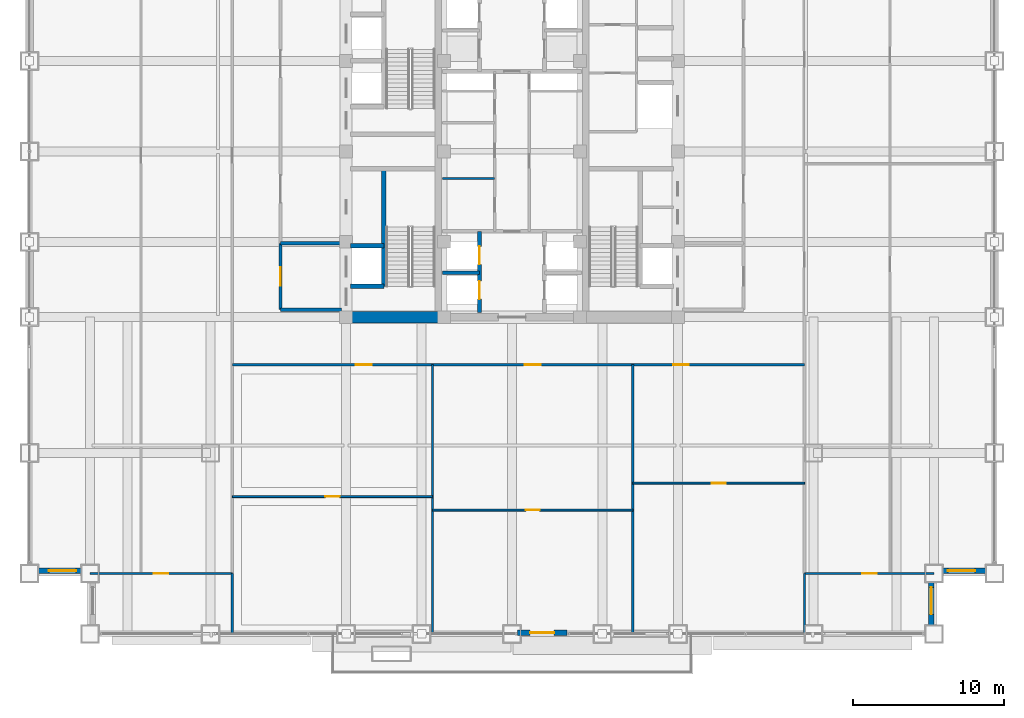
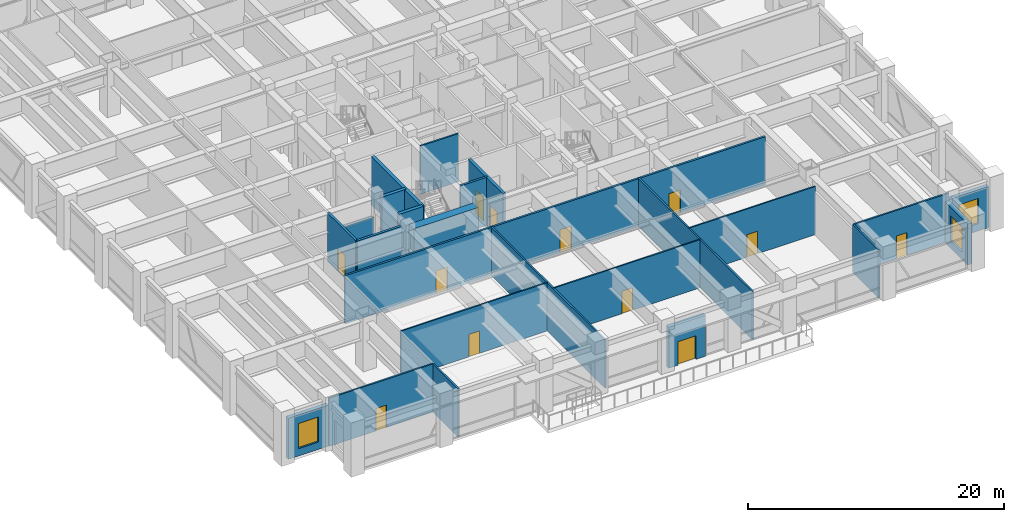
# One storey, part 24 of 34: 24 walls, 12 doors, 3 windows, 15 openings.
"""IFC4 building model written with IfcOpenShell, lengths in metres."""

from ifc_helpers import new_model, si_unit, direction, frame, frame_2d, origin, place, context, subcontext, project, spatial, rectangle, extrude, source, transform, mapped, material, layer, layer_set, type_object, element, fill, save


model = new_model("IFC4")

# Units and contexts
model_context = context("Model", 3, precision=1e-05, world=origin(), true_north=direction((0.0, 1.0)))
body_context = subcontext(model_context, "Body", "Model", "MODEL_VIEW")
ifc_project = project(units=[si_unit("LENGTHUNIT", "METRE"), si_unit("AREAUNIT", "SQUARE_METRE"), si_unit("VOLUMEUNIT", "CUBIC_METRE"), si_unit("PLANEANGLEUNIT", "RADIAN"), si_unit("MASSUNIT", "GRAM", prefix="KILO")], contexts=[model_context])

# Site, building, storey
site_placement = place(None, origin())
site = spatial("IfcSite", under=ifc_project, at=site_placement, CompositionType="ELEMENT")
building_placement = place(site_placement, origin())
building = spatial("IfcBuilding", under=site, at=building_placement, Name="Khorayat Bourse Tower", CompositionType="ELEMENT")
storey_placement = place(building_placement, frame((0.0, 0.0, 144.699951171875)))
storey = spatial("IfcBuildingStorey", under=building, at=storey_placement, Name="L33", CompositionType="ELEMENT", Elevation=144.699951171875)

# Wall
ifc_material_1 = material(Name="Concrete C72/90", Category="concrete")
ifc_layer_1 = layer(ifc_material_1, 0.75)
ifc_layer_set_1 = layer_set([ifc_layer_1], Name="Concrete C72/90")
wall_type_1 = type_object("IfcWallType", Name="WAL-CORE-750", PredefinedType="SHEAR", material=ifc_layer_set_1)
shared_shape_1 = source(origin(), body_context, "Body", "SweptSolid", [
    extrude(rectangle(XDim=5.849853515625, YDim=0.75, at=frame_2d((2.9248046875, 0.0))), origin(), (0.0, 0.0, 1.0), 4.60009765625),
])
wall_1_placement = place(storey_placement, frame((-10.699951171875, -11.0, 0.0), z_axis=(0.0, 0.0, 1.0), x_axis=(1.0, 0.0, 0.0)))
element("IfcWall", 1, at=wall_1_placement, inside=storey, type_object=wall_type_1, Name="L33 Core Shear Wall PIER-WS", PredefinedType="SHEAR", context=body_context, shape_type="MappedRepresentation", body=[
    mapped(shared_shape_1, transform((0.0, 0.0, 0.0), scale=1.0)),
])

# Wall, opening, window
ifc_material_2 = material(Name="Precast concrete C45/55", Category="concrete")
ifc_layer_2 = layer(ifc_material_2, 0.3798828125)
ifc_layer_set_2 = layer_set([ifc_layer_2], Name="Precast concrete C45/55")
wall_type_2 = type_object("IfcWallType", Name="WAL-EXT-STONE-380", PredefinedType="STANDARD", material=ifc_layer_set_2)
shared_shape_2 = source(origin(), body_context, "Body", "SweptSolid", [
    extrude(rectangle(XDim=3.6201171875, YDim=0.3798828125, at=frame_2d((1.81005859375, 0.0))), origin(), (0.0, 0.0, 1.0), 3.905029296875),
])
wall_2_placement = place(storey_placement, frame((-28.0, -27.81005859375, 0.0), z_axis=(0.0, 0.0, 1.0), x_axis=(-1.0, 0.0, 0.0)))
wall_2 = element("IfcWall", 2, at=wall_2_placement, inside=storey, type_object=wall_type_2, Name="L33 Re-Entrant Notch Limestone Wall SW-H", PredefinedType="STANDARD", context=body_context, shape_type="MappedRepresentation", body=[
    mapped(shared_shape_2, transform((0.0, 0.0, 0.0), scale=1.0)),
])
shared_shape_3 = source(origin(), body_context, "Body", "SweptSolid", [
    extrude(rectangle(XDim=1.800048828125, YDim=2.39990234375, at=frame_2d((0.89990234375, 1.199951171875))), frame((0.0, 0.199951171875, 0.0), z_axis=(0.0, -1.0, 0.0), x_axis=(1.0, 0.0, 0.0)), (0.0, 0.0, 1.0), 0.39990234375),
])
opening_1_placement = place(wall_2_placement, frame((0.909912109375, 0.0, 0.699951171875)))
opening_1 = element("IfcOpeningElement", 3, at=opening_1_placement, cuts=wall_2, Name="Opening WN-04", PredefinedType="OPENING", context=body_context, shape_type="MappedRepresentation", body=[
    mapped(shared_shape_3, transform((0.0, 0.0, 0.0), scale=1.0)),
])
ifc_material_3 = material(Name="Low-E acoustic laminated double glazing", Category="glass")
window_type = type_object("IfcWindowType", Name="WIN-NOTCH-1800x2400", PartitioningType="SINGLE_PANEL", PredefinedType="WINDOW", material=ifc_material_3)
shared_shape_4 = source(origin(), body_context, "Body", "SweptSolid", [
    extrude(rectangle(XDim=1.800048828125, YDim=2.39990234375, at=frame_2d((0.89990234375, 1.199951171875))), frame((0.0, 0.030029296875, 0.0), z_axis=(0.0, -1.0, 0.0), x_axis=(1.0, 0.0, 0.0)), (0.0, 0.0, 1.0), 0.06005859375),
])
window_1_placement = place(opening_1_placement, origin())
window_1 = element("IfcWindow", 4, at=window_1_placement, inside=storey, type_object=window_type, Name="L33 Facade Window 1", OverallHeight=2.39990234375, OverallWidth=1.800048828125, PartitioningType="SINGLE_PANEL", PredefinedType="WINDOW", context=body_context, shape_type="MappedRepresentation", body=[
    mapped(shared_shape_4, transform((0.0, 0.0, 0.0), scale=1.0)),
])
fill(opening_1, window_1)

wall_3_placement = place(storey_placement, frame((27.81005859375, -31.6201171875, 0.0), z_axis=(0.0, 0.0, 1.0), x_axis=(0.0, 1.0, 0.0)))
wall_3 = element("IfcWall", 5, at=wall_3_placement, inside=storey, type_object=wall_type_2, Name="L33 Re-Entrant Notch Limestone Wall SE-V", PredefinedType="STANDARD", context=body_context, shape_type="MappedRepresentation", body=[
    mapped(shared_shape_2, transform((0.0, 0.0, 0.0), scale=1.0)),
])
opening_2_placement = place(wall_3_placement, frame((0.909912109375, 0.0, 0.699951171875)))
opening_2 = element("IfcOpeningElement", 6, at=opening_2_placement, cuts=wall_3, Name="Opening WN-04", PredefinedType="OPENING", context=body_context, shape_type="MappedRepresentation", body=[
    mapped(shared_shape_3, transform((0.0, 0.0, 0.0), scale=1.0)),
])
window_2_placement = place(opening_2_placement, origin())
window_2 = element("IfcWindow", 7, at=window_2_placement, inside=storey, type_object=window_type, Name="L33 Facade Window 1", OverallHeight=2.39990234375, OverallWidth=1.800048828125, PartitioningType="SINGLE_PANEL", PredefinedType="WINDOW", context=body_context, shape_type="MappedRepresentation", body=[
    mapped(shared_shape_4, transform((0.0, 0.0, 0.0), scale=1.0)),
])
fill(opening_2, window_2)

wall_4_placement = place(storey_placement, frame((28.0, -27.81005859375, 0.0), z_axis=(0.0, 0.0, 1.0), x_axis=(1.0, 0.0, 0.0)))
wall_4 = element("IfcWall", 8, at=wall_4_placement, inside=storey, type_object=wall_type_2, Name="L33 Re-Entrant Notch Limestone Wall SE-H", PredefinedType="STANDARD", context=body_context, shape_type="MappedRepresentation", body=[
    mapped(shared_shape_2, transform((0.0, 0.0, 0.0), scale=1.0)),
])
opening_3_placement = place(wall_4_placement, frame((0.909912109375, 0.0, 0.699951171875)))
opening_3 = element("IfcOpeningElement", 9, at=opening_3_placement, cuts=wall_4, Name="Opening WN-04", PredefinedType="OPENING", context=body_context, shape_type="MappedRepresentation", body=[
    mapped(shared_shape_3, transform((0.0, 0.0, 0.0), scale=1.0)),
])
window_3_placement = place(opening_3_placement, origin())
window_3 = element("IfcWindow", 10, at=window_3_placement, inside=storey, type_object=window_type, Name="L33 Facade Window 1", OverallHeight=2.39990234375, OverallWidth=1.800048828125, PartitioningType="SINGLE_PANEL", PredefinedType="WINDOW", context=body_context, shape_type="MappedRepresentation", body=[
    mapped(shared_shape_4, transform((0.0, 0.0, 0.0), scale=1.0)),
])
fill(opening_3, window_3)

# Wall, opening, door
shared_shape_5 = source(origin(), body_context, "Body", "SweptSolid", [
    extrude(rectangle(XDim=3.2998046875, YDim=0.3798828125, at=frame_2d((1.64990234375, 0.0))), origin(), (0.0, 0.0, 1.0), 3.905029296875),
])
wall_5_placement = place(storey_placement, frame((0.35009765625, -31.93310546875, 0.0), z_axis=(0.0, 0.0, 1.0), x_axis=(1.0, 0.0, 0.0)))
wall_5 = element("IfcWall", 11, at=wall_5_placement, inside=storey, type_object=wall_type_2, Name="L33 Exterior Limestone Wall WAL-L33-TDPORT-S1", PredefinedType="STANDARD", context=body_context, shape_type="MappedRepresentation", body=[
    mapped(shared_shape_5, transform((0.0, 0.0, 0.0), scale=1.0)),
])
shared_shape_6 = source(origin(), body_context, "Body", "SweptSolid", [
    extrude(rectangle(XDim=1.60009765625, YDim=2.25, at=frame_2d((0.800048828125, 1.125))), frame((0.0, 0.199951171875, 0.0), z_axis=(0.0, -1.0, 0.0), x_axis=(1.0, 0.0, 0.0)), (0.0, 0.0, 1.0), 0.39990234375),
])
opening_4_placement = place(wall_5_placement, frame((0.85009765625, 0.0, 0.0)))
opening_4 = element("IfcOpeningElement", 12, at=opening_4_placement, cuts=wall_5, Name="Opening DE-04", PredefinedType="OPENING", context=body_context, shape_type="MappedRepresentation", body=[
    mapped(shared_shape_6, transform((0.0, 0.0, 0.0), scale=1.0)),
])
ifc_material_4 = material(Name="Thermally broken aluminium terrace double door", Category="aluminium")
door_type_1 = type_object("IfcDoorType", Name="DR-EXT-TERR-1600", OperationType="NOTDEFINED", PredefinedType="DOOR", material=ifc_material_4)
shared_shape_7 = source(origin(), body_context, "Body", "SweptSolid", [
    extrude(rectangle(XDim=1.60009765625, YDim=2.25, at=frame_2d((0.800048828125, 1.125))), frame((0.0, 0.02490234375, 0.0), z_axis=(0.0, -1.0, 0.0), x_axis=(1.0, 0.0, 0.0)), (0.0, 0.0, 1.0), 0.050048828125),
])
door_1_placement = place(opening_4_placement, origin())
door_1 = element("IfcDoor", 13, at=door_1_placement, inside=storey, type_object=door_type_1, Name="L33 South Sky Garden Door", OperationType="DOUBLE_DOOR_SINGLE_SWING", OverallHeight=2.25, OverallWidth=1.60009765625, PredefinedType="DOOR", context=body_context, shape_type="MappedRepresentation", body=[
    mapped(shared_shape_7, transform((0.0, 0.0, 0.0), scale=1.0)),
])
fill(opening_4, door_1)

# Walls
ifc_material_5 = material(Name="Concrete C50/60", Category="concrete")
ifc_layer_3 = layer(ifc_material_5, 0.300048828125)
ifc_layer_set_3 = layer_set([ifc_layer_3], Name="Concrete C50/60")
wall_type_3 = type_object("IfcWallType", Name="WAL-SHAFT-300", PredefinedType="SHEAR", material=ifc_layer_set_3)
shared_shape_8 = source(origin(), body_context, "Body", "SweptSolid", [
    extrude(rectangle(XDim=7.800048828125, YDim=0.300048828125, at=frame_2d((3.89990234375, 0.0))), origin(), (0.0, 0.0, 1.0), 4.60009765625),
])
wall_6_placement = place(storey_placement, frame((-8.5, -8.949951171875, 0.0), z_axis=(0.0, 0.0, 1.0), x_axis=(0.0, 1.0, 0.0)))
element("IfcWall", 14, at=wall_6_placement, inside=storey, type_object=wall_type_3, Name="L33 Partition WAL-L33-WPIER-SP", PredefinedType="SHEAR", context=body_context, shape_type="MappedRepresentation", body=[
    mapped(shared_shape_8, transform((0.0, 0.0, 0.0), scale=1.0)),
])
shared_shape_9 = source(origin(), body_context, "Body", "SweptSolid", [
    extrude(rectangle(XDim=2.199951171875, YDim=0.300048828125, at=frame_2d((1.10009765625, 0.0))), origin(), (0.0, 0.0, 1.0), 4.60009765625),
])
for number, where, z_axis, x_axis, name in (
    (15, (-10.699951171875, -8.949951171875, 0.0), (0.0, 0.0, 1.0), (1.0, 0.0, 0.0), "L33 Partition WAL-L33-WPIER-FF1S"),
    (16, (-10.699951171875, -6.25, 0.0), (0.0, 0.0, 1.0), (1.0, 0.0, 0.0), "L33 Partition WAL-L33-WPIER-FF1N"),
):
    element("IfcWall", number, at=place(storey_placement, frame(where, z_axis=z_axis, x_axis=x_axis)), inside=storey, type_object=wall_type_3, Name=name, PredefinedType="SHEAR", context=body_context, shape_type="MappedRepresentation", body=[
        mapped(shared_shape_9, transform((0.0, 0.0, 0.0), scale=1.0)),
    ])
ifc_material_6 = material(Name="Aerated concrete blockwork", Category="masonry")
ifc_layer_4 = layer(ifc_material_6, 0.219970703125)
ifc_layer_set_4 = layer_set([ifc_layer_4], Name="Aerated concrete blockwork")
wall_type_4 = type_object("IfcWallType", Name="WAL-PART-FF-220", PredefinedType="PARTITIONING", material=ifc_layer_set_4)
shared_shape_10 = source(origin(), body_context, "Body", "SweptSolid", [
    extrude(rectangle(XDim=4.050048828125, YDim=0.219970703125, at=frame_2d((2.02490234375, 0.0))), origin(), (0.0, 0.0, 1.0), 4.60009765625),
])
wall_7_placement = place(storey_placement, frame((-15.35009765625, -10.5, 0.0), z_axis=(0.0, 0.0, 1.0), x_axis=(1.0, 0.0, 0.0)))
element("IfcWall", 17, at=wall_7_placement, inside=storey, type_object=wall_type_4, Name="L33 Partition WAL-L33-FFLW-S", PredefinedType="PARTITIONING", context=body_context, shape_type="MappedRepresentation", body=[
    mapped(shared_shape_10, transform((0.0, 0.0, 0.0), scale=1.0)),
])
shared_shape_11 = source(origin(), body_context, "Body", "SweptSolid", [
    extrude(rectangle(XDim=4.050048828125, YDim=0.219970703125, at=frame_2d((2.02490234375, 0.0))), origin(), (0.0, 0.0, 1.0), 2.800048828125),
])
wall_8_placement = place(storey_placement, frame((-15.35009765625, -6.10009765625, 0.0), z_axis=(0.0, 0.0, 1.0), x_axis=(1.0, 0.0, 0.0)))
element("IfcWall", 18, at=wall_8_placement, inside=storey, type_object=wall_type_4, Name="L33 Partition WAL-L33-FFLW-N", PredefinedType="PARTITIONING", context=body_context, shape_type="MappedRepresentation", body=[
    mapped(shared_shape_11, transform((0.0, 0.0, 0.0), scale=1.0)),
])

# Wall, opening, door
shared_shape_12 = source(origin(), body_context, "Body", "SweptSolid", [
    extrude(rectangle(XDim=4.39990234375, YDim=0.219970703125, at=frame_2d((2.199951171875, 0.0))), origin(), (0.0, 0.0, 1.0), 4.60009765625),
])
wall_9_placement = place(storey_placement, frame((-15.35009765625, -10.5, 0.0), z_axis=(0.0, 0.0, 1.0), x_axis=(0.0, 1.0, 0.0)))
wall_9 = element("IfcWall", 19, at=wall_9_placement, inside=storey, type_object=wall_type_4, Name="L33 Partition WAL-L33-FFLW-W", PredefinedType="PARTITIONING", context=body_context, shape_type="MappedRepresentation", body=[
    mapped(shared_shape_12, transform((0.0, 0.0, 0.0), scale=1.0)),
])
shared_shape_13 = source(origin(), body_context, "Body", "SweptSolid", [
    extrude(rectangle(XDim=1.199951171875, YDim=2.199951171875, at=frame_2d((0.60009765625, 1.10009765625))), frame((0.0, 0.119873046875, 0.0), z_axis=(0.0, -1.0, 0.0), x_axis=(1.0, 0.0, 0.0)), (0.0, 0.0, 1.0), 0.239990234375),
])
opening_5_placement = place(wall_9_placement, frame((1.60009765625, 0.0, 0.0)))
opening_5 = element("IfcOpeningElement", 20, at=opening_5_placement, cuts=wall_9, Name="Opening DI-02", PredefinedType="OPENING", context=body_context, shape_type="MappedRepresentation", body=[
    mapped(shared_shape_13, transform((0.0, 0.0, 0.0), scale=1.0)),
])
ifc_material_7 = material(Name="Fire-rated steel double-seal leaf", Category="steel")
door_type_2 = type_object("IfcDoorType", Name="DR-INT-FFLOBBY-1200", OperationType="NOTDEFINED", PredefinedType="DOOR", material=ifc_material_7)
shared_shape_14 = source(origin(), body_context, "Body", "SweptSolid", [
    extrude(rectangle(XDim=1.199951171875, YDim=2.199951171875, at=frame_2d((0.60009765625, 1.10009765625))), frame((0.0, 0.02490234375, 0.0), z_axis=(0.0, -1.0, 0.0), x_axis=(1.0, 0.0, 0.0)), (0.0, 0.0, 1.0), 0.050048828125),
])
door_2_placement = place(opening_5_placement, origin())
door_2 = element("IfcDoor", 21, at=door_2_placement, inside=storey, type_object=door_type_2, Name="L33 West Firefighting Lobby Door", OperationType="SINGLE_SWING_LEFT", OverallHeight=2.199951171875, OverallWidth=1.199951171875, PredefinedType="DOOR", context=body_context, shape_type="MappedRepresentation", body=[
    mapped(shared_shape_14, transform((0.0, 0.0, 0.0), scale=1.0)),
])
fill(opening_5, door_2)

# Wall, openings, doors
shared_shape_15 = source(origin(), body_context, "Body", "SweptSolid", [
    extrude(rectangle(XDim=5.39990234375, YDim=0.25, at=frame_2d((2.699951171875, 0.0))), origin(), (0.0, 0.0, 1.0), 4.60009765625),
])
wall_10_placement = place(storey_placement, frame((-2.14990234375, -10.699951171875, 0.0), z_axis=(0.0, 0.0, 1.0), x_axis=(0.0, 1.0, 0.0)))
wall_10 = element("IfcWall", 22, at=wall_10_placement, inside=storey, type_object=wall_type_3, Name="L33 Partition WAL-L33-B1-W", PredefinedType="SHEAR", context=body_context, shape_type="MappedRepresentation", body=[
    mapped(shared_shape_15, transform((0.0, 0.0, 0.0), scale=1.0)),
])
shared_shape_16 = source(origin(), body_context, "Body", "SweptSolid", [
    extrude(rectangle(XDim=1.199951171875, YDim=2.300048828125, at=frame_2d((0.60009765625, 1.14990234375))), frame((0.0, 0.135009765625, 0.0), z_axis=(0.0, -1.0, 0.0), x_axis=(1.0, 0.0, 0.0)), (0.0, 0.0, 1.0), 0.27001953125),
])
opening_6_placement = place(wall_10_placement, frame((0.89990234375, 0.0, 0.0)))
opening_6 = element("IfcOpeningElement", 23, at=opening_6_placement, cuts=wall_10, Name="Opening LD-01", PredefinedType="OPENING", context=body_context, shape_type="MappedRepresentation", body=[
    mapped(shared_shape_16, transform((0.0, 0.0, 0.0), scale=1.0)),
])
opening_7_placement = place(wall_10_placement, frame((3.199951171875, 0.0, 0.0)))
opening_7 = element("IfcOpeningElement", 24, at=opening_7_placement, cuts=wall_10, Name="Opening LD-01", PredefinedType="OPENING", context=body_context, shape_type="MappedRepresentation", body=[
    mapped(shared_shape_16, transform((0.0, 0.0, 0.0), scale=1.0)),
])
ifc_material_8 = material(Name="Brushed bronze stainless-steel sliding door", Category="steel")
door_type_3 = type_object("IfcDoorType", Name="DR-LIFT-PASS-1200", OperationType="NOTDEFINED", PredefinedType="DOOR", material=ifc_material_8)
shared_shape_17 = source(origin(), body_context, "Body", "SweptSolid", [
    extrude(rectangle(XDim=1.199951171875, YDim=2.300048828125, at=frame_2d((0.60009765625, 1.14990234375))), frame((0.0, 0.02490234375, 0.0), z_axis=(0.0, -1.0, 0.0), x_axis=(1.0, 0.0, 0.0)), (0.0, 0.0, 1.0), 0.050048828125),
])
door_3_placement = place(opening_6_placement, origin())
door_3 = element("IfcDoor", 25, at=door_3_placement, inside=storey, type_object=door_type_3, Name="L33 Lift PL-L1 Sliding Landing Door", OperationType="SLIDING_TO_LEFT", OverallHeight=2.300048828125, OverallWidth=1.199951171875, PredefinedType="DOOR", context=body_context, shape_type="MappedRepresentation", body=[
    mapped(shared_shape_17, transform((0.0, 0.0, 0.0), scale=1.0)),
])
fill(opening_6, door_3)
door_4_placement = place(opening_7_placement, origin())
door_4 = element("IfcDoor", 26, at=door_4_placement, inside=storey, type_object=door_type_3, Name="L33 Lift PL-L3 Sliding Landing Door", OperationType="SLIDING_TO_LEFT", OverallHeight=2.300048828125, OverallWidth=1.199951171875, PredefinedType="DOOR", context=body_context, shape_type="MappedRepresentation", body=[
    mapped(shared_shape_17, transform((0.0, 0.0, 0.0), scale=1.0)),
])
fill(opening_7, door_4)

# Walls
shared_shape_18 = source(origin(), body_context, "Body", "SweptSolid", [
    extrude(rectangle(XDim=2.4501953125, YDim=0.199951171875, at=frame_2d((1.22509765625, 0.0))), origin(), (0.0, 0.0, 1.0), 4.60009765625),
])
wall_11_placement = place(storey_placement, frame((-4.60009765625, -8.050048828125, 0.0), z_axis=(0.0, 0.0, 1.0), x_axis=(1.0, 0.0, 0.0)))
element("IfcWall", 27, at=wall_11_placement, inside=storey, type_object=wall_type_3, Name="L33 Partition WAL-L33-B1-MW", PredefinedType="SHEAR", context=body_context, shape_type="MappedRepresentation", body=[
    mapped(shared_shape_18, transform((0.0, 0.0, 0.0), scale=1.0)),
])
ifc_material_9 = material(Name="Moisture-resistant masonry partition", Category="masonry")
ifc_layer_5 = layer(ifc_material_9, 0.139892578125)
ifc_layer_set_5 = layer_set([ifc_layer_5], Name="Moisture-resistant masonry partition")
wall_type_5 = type_object("IfcWallType", Name="WAL-PART-WET-140", PredefinedType="PARTITIONING", material=ifc_layer_set_5)
shared_shape_19 = source(origin(), body_context, "Body", "SweptSolid", [
    extrude(rectangle(XDim=3.4501953125, YDim=0.139892578125, at=frame_2d((1.72509765625, 0.0))), origin(), (0.0, 0.0, 1.0), 4.60009765625),
])
wall_12_placement = place(storey_placement, frame((-4.60009765625, -1.800048828125, 0.0), z_axis=(0.0, 0.0, 1.0), x_axis=(1.0, 0.0, 0.0)))
element("IfcWall", 28, at=wall_12_placement, inside=storey, type_object=wall_type_5, Name="L33 Partition WAL-L33-CMW-D1", PredefinedType="PARTITIONING", context=body_context, shape_type="MappedRepresentation", body=[
    mapped(shared_shape_19, transform((0.0, 0.0, 0.0), scale=1.0)),
])

# Wall, opening, door
ifc_material_10 = material(Name="Gypsum plasterboard partition")
ifc_layer_6 = layer(ifc_material_10, 0.125)
ifc_layer_set_6 = layer_set([ifc_layer_6], Name="Gypsum plasterboard partition")
wall_type_6 = type_object("IfcWallType", Name="WAL-PART-ROOM-125", PredefinedType="PARTITIONING", material=ifc_layer_set_6)
shared_shape_20 = source(origin(), body_context, "Body", "SweptSolid", [
    extrude(rectangle(XDim=13.282470703125, YDim=0.125, at=frame_2d((6.64111328125, 0.0))), origin(), (0.0, 0.0, 1.0), 4.60009765625),
])
wall_13_placement = place(storey_placement, frame((-18.550048828125, -22.896484375, 0.0), z_axis=(0.0, 0.0, 1.0), x_axis=(1.0, 0.0, 0.0)))
wall_13 = element("IfcWall", 29, at=wall_13_placement, inside=storey, type_object=wall_type_6, Name="L33 Partition WAL-L33-SDP-1", PredefinedType="PARTITIONING", context=body_context, shape_type="MappedRepresentation", body=[
    mapped(shared_shape_20, transform((0.0, 0.0, 0.0), scale=1.0)),
])
shared_shape_21 = source(origin(), body_context, "Body", "SweptSolid", [
    extrude(rectangle(XDim=0.949951171875, YDim=2.14990234375, at=frame_2d((0.47509765625, 1.074951171875))), frame((0.0, 0.072509765625, 0.0), z_axis=(0.0, -1.0, 0.0), x_axis=(1.0, 0.0, 0.0)), (0.0, 0.0, 1.0), 0.14501953125),
])
opening_8_placement = place(wall_13_placement, frame((6.166259765625, 0.0, 0.0)))
opening_8 = element("IfcOpeningElement", 30, at=opening_8_placement, cuts=wall_13, Name="Opening DI-05", PredefinedType="OPENING", context=body_context, shape_type="MappedRepresentation", body=[
    mapped(shared_shape_21, transform((0.0, 0.0, 0.0), scale=1.0)),
])
ifc_material_11 = material(Name="Acoustic oak veneer office door")
door_type_4 = type_object("IfcDoorType", Name="DR-INT-OFFICE-950", OperationType="NOTDEFINED", PredefinedType="DOOR", material=ifc_material_11)
shared_shape_22 = source(origin(), body_context, "Body", "SweptSolid", [
    extrude(rectangle(XDim=0.949951171875, YDim=2.14990234375, at=frame_2d((0.47509765625, 1.074951171875))), frame((0.0, 0.02490234375, 0.0), z_axis=(0.0, -1.0, 0.0), x_axis=(1.0, 0.0, 0.0)), (0.0, 0.0, 1.0), 0.050048828125),
])
door_5_placement = place(opening_8_placement, origin())
door_5 = element("IfcDoor", 31, at=door_5_placement, inside=storey, type_object=door_type_4, Name="L33 Issuer Listing Showroom S1B Door", OperationType="SINGLE_SWING_RIGHT", OverallHeight=2.14990234375, OverallWidth=0.949951171875, PredefinedType="DOOR", context=body_context, shape_type="MappedRepresentation", body=[
    mapped(shared_shape_22, transform((0.0, 0.0, 0.0), scale=1.0)),
])
fill(opening_8, door_5)

wall_14_placement = place(storey_placement, frame((-5.267578125, -23.7890625, 0.0), z_axis=(0.0, 0.0, 1.0), x_axis=(1.0, 0.0, 0.0)))
wall_14 = element("IfcWall", 32, at=wall_14_placement, inside=storey, type_object=wall_type_6, Name="L33 Partition WAL-L33-SDP-2", PredefinedType="PARTITIONING", context=body_context, shape_type="MappedRepresentation", body=[
    mapped(shared_shape_20, transform((0.0, 0.0, 0.0), scale=1.0)),
])
opening_9_placement = place(wall_14_placement, frame((6.166259765625, 0.0, 0.0)))
opening_9 = element("IfcOpeningElement", 33, at=opening_9_placement, cuts=wall_14, Name="Opening DI-05", PredefinedType="OPENING", context=body_context, shape_type="MappedRepresentation", body=[
    mapped(shared_shape_21, transform((0.0, 0.0, 0.0), scale=1.0)),
])
door_6_placement = place(opening_9_placement, origin())
door_6 = element("IfcDoor", 34, at=door_6_placement, inside=storey, type_object=door_type_4, Name="L33 Members Exchange Lounge S2B Door", OperationType="SINGLE_SWING_LEFT", OverallHeight=2.14990234375, OverallWidth=0.949951171875, PredefinedType="DOOR", context=body_context, shape_type="MappedRepresentation", body=[
    mapped(shared_shape_22, transform((0.0, 0.0, 0.0), scale=1.0)),
])
fill(opening_9, door_6)

# Walls
ifc_material_12 = material(Name="Gypsum plasterboard twin-frame partition")
ifc_layer_7 = layer(ifc_material_12, 0.14990234375)
ifc_layer_set_7 = layer_set([ifc_layer_7], Name="Gypsum plasterboard twin-frame partition")
wall_type_7 = type_object("IfcWallType", Name="WAL-PART-SUITE-150", PredefinedType="PARTITIONING", material=ifc_layer_set_7)
shared_shape_23 = source(origin(), body_context, "Body", "SweptSolid", [
    extrude(rectangle(XDim=17.85009765625, YDim=0.14990234375, at=frame_2d((8.925048828125, 0.0))), origin(), (0.0, 0.0, 1.0), 4.60009765625),
])
for number, where, z_axis, x_axis, name in (
    (35, (-5.267578125, -32.0, 0.0), (0.0, 0.0, 1.0), (0.0, 1.0, 0.0), "L33 Partition WAL-L33-SDV-1"),
    (36, (8.014892578125, -32.0, 0.0), (0.0, 0.0, 1.0), (0.0, 1.0, 0.0), "L33 Partition WAL-L33-SDV-2"),
):
    element("IfcWall", number, at=place(storey_placement, frame(where, z_axis=z_axis, x_axis=x_axis)), inside=storey, type_object=wall_type_7, Name=name, PredefinedType="PARTITIONING", context=body_context, shape_type="MappedRepresentation", body=[
        mapped(shared_shape_23, transform((0.0, 0.0, 0.0), scale=1.0)),
    ])

# Wall, opening, door
shared_shape_24 = source(origin(), body_context, "Body", "SweptSolid", [
    extrude(rectangle(XDim=11.385009765625, YDim=0.125, at=frame_2d((5.6923828125, 0.0))), origin(), (0.0, 0.0, 1.0), 4.60009765625),
])
wall_15_placement = place(storey_placement, frame((8.014892578125, -22.00390625, 0.0), z_axis=(0.0, 0.0, 1.0), x_axis=(1.0, 0.0, 0.0)))
wall_15 = element("IfcWall", 37, at=wall_15_placement, inside=storey, type_object=wall_type_6, Name="L33 Partition WAL-L33-SDP-3", PredefinedType="PARTITIONING", context=body_context, shape_type="MappedRepresentation", body=[
    mapped(shared_shape_24, transform((0.0, 0.0, 0.0), scale=1.0)),
])
opening_10_placement = place(wall_15_placement, frame((5.217529296875, 0.0, 0.0)))
opening_10 = element("IfcOpeningElement", 38, at=opening_10_placement, cuts=wall_15, Name="Opening DI-05", PredefinedType="OPENING", context=body_context, shape_type="MappedRepresentation", body=[
    mapped(shared_shape_21, transform((0.0, 0.0, 0.0), scale=1.0)),
])
door_7_placement = place(opening_10_placement, origin())
door_7 = element("IfcDoor", 39, at=door_7_placement, inside=storey, type_object=door_type_4, Name="L33 Members Club Room S3B Door", OperationType="SINGLE_SWING_RIGHT", OverallHeight=2.14990234375, OverallWidth=0.949951171875, PredefinedType="DOOR", context=body_context, shape_type="MappedRepresentation", body=[
    mapped(shared_shape_22, transform((0.0, 0.0, 0.0), scale=1.0)),
])
fill(opening_10, door_7)

# Wall, openings, doors
ifc_material_13 = material(Name="Gypsum plasterboard acoustic stud wall")
ifc_layer_8 = layer(ifc_material_13, 0.179931640625)
ifc_layer_set_8 = layer_set([ifc_layer_8], Name="Gypsum plasterboard acoustic stud wall")
wall_type_8 = type_object("IfcWallType", Name="WAL-PART-CORR-180", PredefinedType="PARTITIONING", material=ifc_layer_set_8)
shared_shape_25 = source(origin(), body_context, "Body", "SweptSolid", [
    extrude(rectangle(XDim=37.949951171875, YDim=0.179931640625, at=frame_2d((18.97509765625, 0.0))), origin(), (0.0, 0.0, 1.0), 4.60009765625),
])
wall_16_placement = place(storey_placement, frame((-18.550048828125, -14.14990234375, 0.0), z_axis=(0.0, 0.0, 1.0), x_axis=(1.0, 0.0, 0.0)))
wall_16 = element("IfcWall", 40, at=wall_16_placement, inside=storey, type_object=wall_type_8, Name="L33 Partition WAL-L33-SCORR", PredefinedType="PARTITIONING", context=body_context, shape_type="MappedRepresentation", body=[
    mapped(shared_shape_25, transform((0.0, 0.0, 0.0), scale=1.0)),
])
shared_shape_26 = source(origin(), body_context, "Body", "SweptSolid", [
    extrude(rectangle(XDim=1.050048828125, YDim=2.199951171875, at=frame_2d((0.52490234375, 1.10009765625))), frame((0.0, 0.099853515625, 0.0), z_axis=(0.0, -1.0, 0.0), x_axis=(1.0, 0.0, 0.0)), (0.0, 0.0, 1.0), 0.199951171875),
])
opening_11_placement = place(wall_16_placement, frame((8.19140625, 0.0, 0.0)))
opening_11 = element("IfcOpeningElement", 41, at=opening_11_placement, cuts=wall_16, Name="Opening DI-04", PredefinedType="OPENING", context=body_context, shape_type="MappedRepresentation", body=[
    mapped(shared_shape_26, transform((0.0, 0.0, 0.0), scale=1.0)),
])
opening_12_placement = place(wall_16_placement, frame((19.398681640625, 0.0, 0.0)))
opening_12 = element("IfcOpeningElement", 42, at=opening_12_placement, cuts=wall_16, Name="Opening DI-04", PredefinedType="OPENING", context=body_context, shape_type="MappedRepresentation", body=[
    mapped(shared_shape_26, transform((0.0, 0.0, 0.0), scale=1.0)),
])
opening_13_placement = place(wall_16_placement, frame((29.232421875, 0.0, 0.0)))
opening_13 = element("IfcOpeningElement", 43, at=opening_13_placement, cuts=wall_16, Name="Opening DI-04", PredefinedType="OPENING", context=body_context, shape_type="MappedRepresentation", body=[
    mapped(shared_shape_26, transform((0.0, 0.0, 0.0), scale=1.0)),
])
ifc_material_14 = material(Name="Fire-rated oak veneer suite entrance door")
door_type_5 = type_object("IfcDoorType", Name="DR-INT-SUITE-1050", OperationType="NOTDEFINED", PredefinedType="DOOR", material=ifc_material_14)
shared_shape_27 = source(origin(), body_context, "Body", "SweptSolid", [
    extrude(rectangle(XDim=1.050048828125, YDim=2.199951171875, at=frame_2d((0.52490234375, 1.10009765625))), frame((0.0, 0.02490234375, 0.0), z_axis=(0.0, -1.0, 0.0), x_axis=(1.0, 0.0, 0.0)), (0.0, 0.0, 1.0), 0.050048828125),
])
door_8_placement = place(opening_11_placement, origin())
door_8 = element("IfcDoor", 44, at=door_8_placement, inside=storey, type_object=door_type_5, Name="L33 South Sky Terrace Lounge S1 Door", OperationType="SINGLE_SWING_RIGHT", OverallHeight=2.199951171875, OverallWidth=1.050048828125, PredefinedType="DOOR", context=body_context, shape_type="MappedRepresentation", body=[
    mapped(shared_shape_27, transform((0.0, 0.0, 0.0), scale=1.0)),
])
fill(opening_11, door_8)
door_9_placement = place(opening_12_placement, origin())
door_9 = element("IfcDoor", 45, at=door_9_placement, inside=storey, type_object=door_type_5, Name="L33 Brokerage Member Kiosk S2 Door", OperationType="SINGLE_SWING_LEFT", OverallHeight=2.199951171875, OverallWidth=1.050048828125, PredefinedType="DOOR", context=body_context, shape_type="MappedRepresentation", body=[
    mapped(shared_shape_27, transform((0.0, 0.0, 0.0), scale=1.0)),
])
fill(opening_12, door_9)
door_10_placement = place(opening_13_placement, origin())
door_10 = element("IfcDoor", 46, at=door_10_placement, inside=storey, type_object=door_type_5, Name="L33 Members Dining Room S3 Door", OperationType="SINGLE_SWING_RIGHT", OverallHeight=2.199951171875, OverallWidth=1.050048828125, PredefinedType="DOOR", context=body_context, shape_type="MappedRepresentation", body=[
    mapped(shared_shape_27, transform((0.0, 0.0, 0.0), scale=1.0)),
])
fill(opening_13, door_10)

# Walls
shared_shape_28 = source(origin(), body_context, "Body", "SweptSolid", [
    extrude(rectangle(XDim=4.0, YDim=0.14990234375, at=frame_2d((2.0, 0.0))), origin(), (0.0, 0.0, 1.0), 4.60009765625),
])
for number, where, z_axis, x_axis, name in (
    (47, (-18.550048828125, -32.0, 0.0), (0.0, 0.0, 1.0), (0.0, 1.0, 0.0), "L33 Partition WAL-L33-SCW-END"),
    (48, (19.39990234375, -32.0, 0.0), (0.0, 0.0, 1.0), (0.0, 1.0, 0.0), "L33 Partition WAL-L33-SCE-END"),
):
    element("IfcWall", number, at=place(storey_placement, frame(where, z_axis=z_axis, x_axis=x_axis)), inside=storey, type_object=wall_type_7, Name=name, PredefinedType="PARTITIONING", context=body_context, shape_type="MappedRepresentation", body=[
        mapped(shared_shape_28, transform((0.0, 0.0, 0.0), scale=1.0)),
    ])

# Wall, opening, door
shared_shape_29 = source(origin(), body_context, "Body", "SweptSolid", [
    extrude(rectangle(XDim=9.449951171875, YDim=0.14990234375, at=frame_2d((4.72509765625, 0.0))), origin(), (0.0, 0.0, 1.0), 4.60009765625),
])
wall_17_placement = place(storey_placement, frame((-28.0, -28.0, 0.0), z_axis=(0.0, 0.0, 1.0), x_axis=(1.0, 0.0, 0.0)))
wall_17 = element("IfcWall", 49, at=wall_17_placement, inside=storey, type_object=wall_type_7, Name="L33 Partition WAL-L33-CSW", PredefinedType="PARTITIONING", context=body_context, shape_type="MappedRepresentation", body=[
    mapped(shared_shape_29, transform((0.0, 0.0, 0.0), scale=1.0)),
])
shared_shape_30 = source(origin(), body_context, "Body", "SweptSolid", [
    extrude(rectangle(XDim=0.949951171875, YDim=2.14990234375, at=frame_2d((0.47509765625, 1.074951171875))), frame((0.0, 0.0849609375, 0.0), z_axis=(0.0, -1.0, 0.0), x_axis=(1.0, 0.0, 0.0)), (0.0, 0.0, 1.0), 0.169921875),
])
opening_14_placement = place(wall_17_placement, frame((4.25, 0.0, 0.0)))
opening_14 = element("IfcOpeningElement", 50, at=opening_14_placement, cuts=wall_17, Name="Opening DI-05", PredefinedType="OPENING", context=body_context, shape_type="MappedRepresentation", body=[
    mapped(shared_shape_30, transform((0.0, 0.0, 0.0), scale=1.0)),
])
door_11_placement = place(opening_14_placement, origin())
door_11 = element("IfcDoor", 51, at=door_11_placement, inside=storey, type_object=door_type_4, Name="L33 South-West Corner Office Door", OperationType="SINGLE_SWING_LEFT", OverallHeight=2.14990234375, OverallWidth=0.949951171875, PredefinedType="DOOR", context=body_context, shape_type="MappedRepresentation", body=[
    mapped(shared_shape_22, transform((0.0, 0.0, 0.0), scale=1.0)),
])
fill(opening_14, door_11)

shared_shape_31 = source(origin(), body_context, "Body", "SweptSolid", [
    extrude(rectangle(XDim=8.60009765625, YDim=0.14990234375, at=frame_2d((4.300048828125, 0.0))), origin(), (0.0, 0.0, 1.0), 4.60009765625),
])
wall_18_placement = place(storey_placement, frame((19.39990234375, -28.0, 0.0), z_axis=(0.0, 0.0, 1.0), x_axis=(1.0, 0.0, 0.0)))
wall_18 = element("IfcWall", 52, at=wall_18_placement, inside=storey, type_object=wall_type_7, Name="L33 Partition WAL-L33-CSE", PredefinedType="PARTITIONING", context=body_context, shape_type="MappedRepresentation", body=[
    mapped(shared_shape_31, transform((0.0, 0.0, 0.0), scale=1.0)),
])
opening_15_placement = place(wall_18_placement, frame((3.824951171875, 0.0, 0.0)))
opening_15 = element("IfcOpeningElement", 53, at=opening_15_placement, cuts=wall_18, Name="Opening DI-05", PredefinedType="OPENING", context=body_context, shape_type="MappedRepresentation", body=[
    mapped(shared_shape_30, transform((0.0, 0.0, 0.0), scale=1.0)),
])
door_12_placement = place(opening_15_placement, origin())
door_12 = element("IfcDoor", 54, at=door_12_placement, inside=storey, type_object=door_type_4, Name="L33 South-East Corner Briefing Room Door", OperationType="SINGLE_SWING_LEFT", OverallHeight=2.14990234375, OverallWidth=0.949951171875, PredefinedType="DOOR", context=body_context, shape_type="MappedRepresentation", body=[
    mapped(shared_shape_22, transform((0.0, 0.0, 0.0), scale=1.0)),
])
fill(opening_15, door_12)

save(model, "model.ifc")
